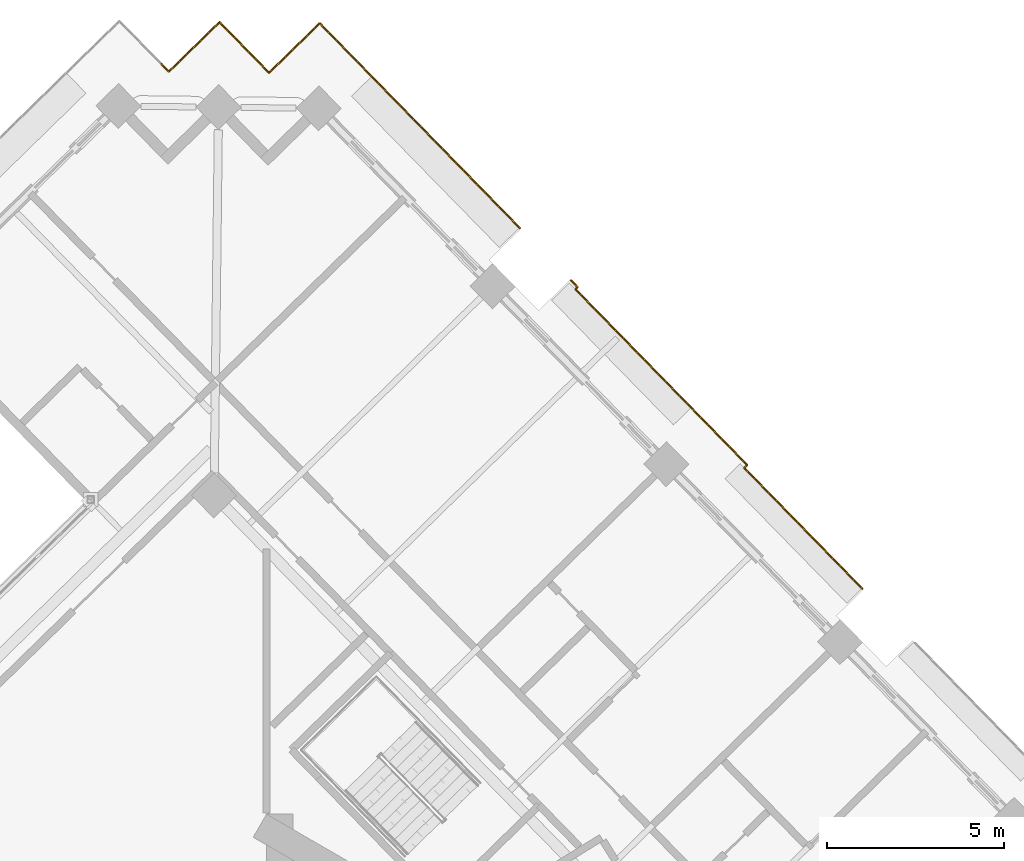
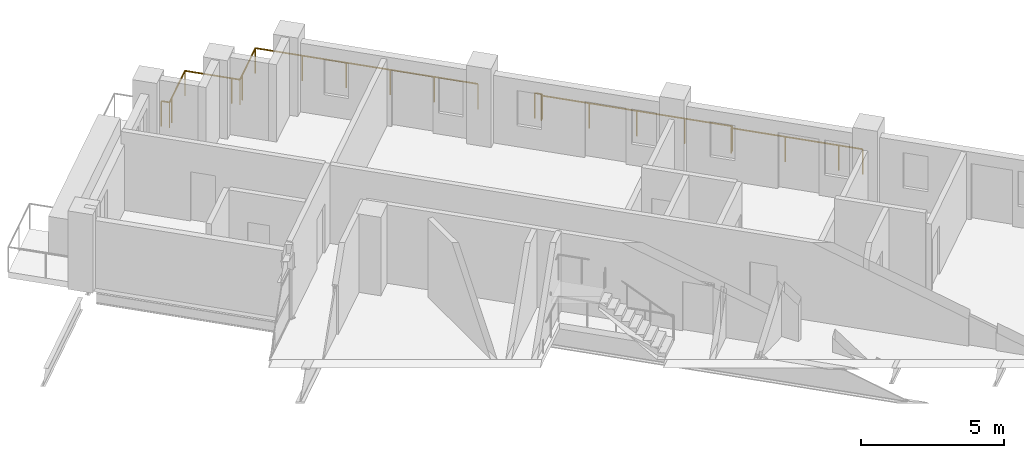
# One storey, part 18 of 19: 2 railings.
"""IFC4 building model written with IfcOpenShell, lengths in metres."""

from ifc_helpers import new_model, si_unit, direction, frame, origin, origin_2d, place, context, subcontext, project, spatial, circle, extrude, material, type_object, element, save


model = new_model("IFC4")

# Units and contexts
model_context = context("Model", 3, precision=1e-05, world=origin(), true_north=direction((0.0, 1.0)))
body_context = subcontext(model_context, "Body", "Model", "MODEL_VIEW")
ifc_project = project(units=[si_unit("LENGTHUNIT", "METRE"), si_unit("AREAUNIT", "SQUARE_METRE"), si_unit("VOLUMEUNIT", "CUBIC_METRE"), si_unit("PLANEANGLEUNIT", "RADIAN"), si_unit("MASSUNIT", "GRAM", prefix="KILO")], contexts=[model_context])

# Site, building, storey
site_placement = place(None, origin())
site = spatial("IfcSite", under=ifc_project, at=site_placement, CompositionType="ELEMENT")
building_placement = place(site_placement, origin())
building = spatial("IfcBuilding", under=site, at=building_placement, Name="Cantera Rosa Tower", CompositionType="ELEMENT")
storey_placement = place(building_placement, frame((0.0, 0.0, 223.39990234375)))
storey = spatial("IfcBuildingStorey", under=building, at=storey_placement, Name="L48", CompositionType="ELEMENT", Elevation=223.39990234375)

# Railings
ifc_material = material(Name="Stainless steel and laminated glass", Category="steel")
railing_type = type_object("IfcRailingType", Name="GUARD 1100", PredefinedType="BALUSTRADE", material=ifc_material)
railing_1_placement = place(storey_placement, frame((12.595703125, 25.028076171875, 0.0)))
element("IfcRailing", 1, at=railing_1_placement, inside=storey, type_object=railing_type, Name="GUARD L48-10", PredefinedType="BALUSTRADE", context=body_context, shape_type="SweptSolid", body=[
    extrude(circle(Radius=0.030029296875, at=origin_2d()), frame((0.0, 0.0, 1.070068359375), z_axis=(0.698922436913, -0.715197474254, 0.0), x_axis=(0.715197474254, 0.698922436913, 0.0)), (0.0, 0.0, 1.0), 0.27001953125),
    extrude(circle(Radius=0.030029296875, at=origin_2d()), frame((0.188720703125, -0.193115234375, 1.070068359375), z_axis=(-0.715817567127, -0.698287340994, 0.0), x_axis=(0.698287340994, -0.715817567127, 0.0)), (0.0, 0.0, 1.0), 0.08349609375),
    extrude(circle(Radius=0.030029296875, at=origin_2d()), frame((0.12890625, -0.25146484375, 1.070068359375), z_axis=(0.698822463092, -0.715295159412, 0.0), x_axis=(0.715295159412, 0.698822463092, 0.0)), (0.0, 0.0, 1.0), 6.936279296875),
    extrude(circle(Radius=0.030029296875, at=origin_2d()), frame((4.97607421875, -5.212890625, 1.070068359375), z_axis=(-0.715449344279, -0.698664608929, 0.0), x_axis=(0.698664608929, -0.715449344279, 0.0)), (0.0, 0.0, 1.0), 0.116455078125),
    extrude(circle(Radius=0.030029296875, at=origin_2d()), frame((4.892822265625, -5.294189453125, 1.070068359375), z_axis=(0.698866787925, -0.715251852662, 0.0), x_axis=(0.715251852662, 0.698866787925, 0.0)), (0.0, 0.0, 1.0), 3.90380859375),
    extrude(circle(Radius=0.030029296875, at=origin_2d()), frame((7.62109375, -8.08642578125, 1.070068359375), z_axis=(0.698779602308, -0.715337030636, 0.0), x_axis=(0.715337030636, 0.698779602308, 0.0)), (0.0, 0.0, 1.0), 0.869873046875),
    extrude(circle(Radius=0.02490234375, at=origin_2d()), origin(), (0.0, 0.0, 1.0), 1.0400390625),
    extrude(circle(Radius=0.02490234375, at=origin_2d()), frame((0.188720703125, -0.193115234375, 0.0)), (0.0, 0.0, 1.0), 1.0400390625),
    extrude(circle(Radius=0.02490234375, at=origin_2d()), frame((0.12890625, -0.25146484375, 0.0)), (0.0, 0.0, 1.0), 1.0400390625),
    extrude(circle(Radius=0.02490234375, at=origin_2d()), frame((1.3408203125, -1.49169921875, 0.0)), (0.0, 0.0, 1.0), 1.0400390625),
    extrude(circle(Radius=0.02490234375, at=origin_2d()), frame((2.552490234375, -2.732177734375, 0.0)), (0.0, 0.0, 1.0), 1.0400390625),
    extrude(circle(Radius=0.02490234375, at=origin_2d()), frame((3.76416015625, -3.97265625, 0.0)), (0.0, 0.0, 1.0), 1.0400390625),
    extrude(circle(Radius=0.02490234375, at=origin_2d()), frame((4.97607421875, -5.212890625, 0.0)), (0.0, 0.0, 1.0), 1.0400390625),
    extrude(circle(Radius=0.02490234375, at=origin_2d()), frame((4.892822265625, -5.294189453125, 0.0)), (0.0, 0.0, 1.0), 1.0400390625),
    extrude(circle(Radius=0.02490234375, at=origin_2d()), frame((6.2568359375, -6.6904296875, 0.0)), (0.0, 0.0, 1.0), 1.0400390625),
    extrude(circle(Radius=0.02490234375, at=origin_2d()), frame((7.62109375, -8.08642578125, 0.0)), (0.0, 0.0, 1.0), 1.0400390625),
    extrude(circle(Radius=0.02490234375, at=origin_2d()), frame((8.22900390625, -8.708740234375, 0.0)), (0.0, 0.0, 1.0), 1.0400390625),
])
railing_2_placement = place(storey_placement, frame((1.0341796875, 31.13818359375, 0.0)))
element("IfcRailing", 2, at=railing_2_placement, inside=storey, type_object=railing_type, Name="GUARD L48-11", PredefinedType="BALUSTRADE", context=body_context, shape_type="SweptSolid", body=[
    extrude(circle(Radius=0.030029296875, at=origin_2d()), frame((0.0, 0.0, 1.070068359375), z_axis=(0.698506948293, -0.715603272202, 0.0), x_axis=(0.715603272202, 0.698506948293, 0.0)), (0.0, 0.0, 1.0), 0.2998046875),
    extrude(circle(Radius=0.030029296875, at=origin_2d()), frame((0.20947265625, -0.214599609375, 1.070068359375), z_axis=(0.715196445894, 0.698923489218, 0.0), x_axis=(-0.698923489218, 0.715196445894, 0.0)), (0.0, 0.0, 1.0), 0.300048828125),
    extrude(circle(Radius=0.030029296875, at=origin_2d()), frame((0.424072265625, -0.0048828125, 1.070068359375), z_axis=(0.715316077832, 0.69880105094, 0.0), x_axis=(-0.69880105094, 0.715316077832, 0.0)), (0.0, 0.0, 1.0), 1.699951171875),
    extrude(circle(Radius=0.030029296875, at=origin_2d()), frame((1.64013671875, 1.18310546875, 1.070068359375), z_axis=(0.69880105094, -0.715316077832, 0.0), x_axis=(0.715316077832, 0.69880105094, 0.0)), (0.0, 0.0, 1.0), 1.699951171875),
    extrude(circle(Radius=0.030029296875, at=origin_2d()), frame((2.828125, -0.032958984375, 1.070068359375), z_axis=(0.698923489218, -0.715196445894, 0.0), x_axis=(0.715196445894, 0.698923489218, 0.0)), (0.0, 0.0, 1.0), 0.300048828125),
    extrude(circle(Radius=0.030029296875, at=origin_2d()), frame((3.037841796875, -0.24755859375, 1.070068359375), z_axis=(0.715196445894, 0.698923489218, 0.0), x_axis=(-0.698923489218, 0.715196445894, 0.0)), (0.0, 0.0, 1.0), 0.300048828125),
    extrude(circle(Radius=0.030029296875, at=origin_2d()), frame((3.25244140625, -0.037841796875, 1.070068359375), z_axis=(0.715316077832, 0.69880105094, 0.0), x_axis=(-0.69880105094, 0.715316077832, 0.0)), (0.0, 0.0, 1.0), 1.699951171875),
    extrude(circle(Radius=0.030029296875, at=origin_2d()), frame((4.468505859375, 1.150146484375, 1.070068359375), z_axis=(0.69880105094, -0.715316077832, 0.0), x_axis=(0.715316077832, 0.69880105094, 0.0)), (0.0, 0.0, 1.0), 1.699951171875),
    extrude(circle(Radius=0.030029296875, at=origin_2d()), frame((5.656494140625, -0.06591796875, 1.070068359375), z_axis=(0.698825008445, -0.715292672668, 0.0), x_axis=(0.715292672668, 0.698825008445, 0.0)), (0.0, 0.0, 1.0), 6.389892578125),
    extrude(circle(Radius=0.02490234375, at=origin_2d()), origin(), (0.0, 0.0, 1.0), 1.0400390625),
    extrude(circle(Radius=0.02490234375, at=origin_2d()), frame((0.20947265625, -0.214599609375, 0.0)), (0.0, 0.0, 1.0), 1.0400390625),
    extrude(circle(Radius=0.02490234375, at=origin_2d()), frame((0.424072265625, -0.0048828125, 0.0)), (0.0, 0.0, 1.0), 1.0400390625),
    extrude(circle(Radius=0.02490234375, at=origin_2d()), frame((1.64013671875, 1.18310546875, 0.0)), (0.0, 0.0, 1.0), 1.0400390625),
    extrude(circle(Radius=0.02490234375, at=origin_2d()), frame((2.828125, -0.032958984375, 0.0)), (0.0, 0.0, 1.0), 1.0400390625),
    extrude(circle(Radius=0.02490234375, at=origin_2d()), frame((3.037841796875, -0.24755859375, 0.0)), (0.0, 0.0, 1.0), 1.0400390625),
    extrude(circle(Radius=0.02490234375, at=origin_2d()), frame((3.25244140625, -0.037841796875, 0.0)), (0.0, 0.0, 1.0), 1.0400390625),
    extrude(circle(Radius=0.02490234375, at=origin_2d()), frame((4.468505859375, 1.150146484375, 0.0)), (0.0, 0.0, 1.0), 1.0400390625),
    extrude(circle(Radius=0.02490234375, at=origin_2d()), frame((5.656494140625, -0.06591796875, 0.0)), (0.0, 0.0, 1.0), 1.0400390625),
    extrude(circle(Radius=0.02490234375, at=origin_2d()), frame((6.77294921875, -1.20849609375, 0.0)), (0.0, 0.0, 1.0), 1.0400390625),
    extrude(circle(Radius=0.02490234375, at=origin_2d()), frame((7.88916015625, -2.35107421875, 0.0)), (0.0, 0.0, 1.0), 1.0400390625),
    extrude(circle(Radius=0.02490234375, at=origin_2d()), frame((9.00537109375, -3.493896484375, 0.0)), (0.0, 0.0, 1.0), 1.0400390625),
    extrude(circle(Radius=0.02490234375, at=origin_2d()), frame((10.121826171875, -4.636474609375, 0.0)), (0.0, 0.0, 1.0), 1.0400390625),
])

save(model, "model.ifc")
